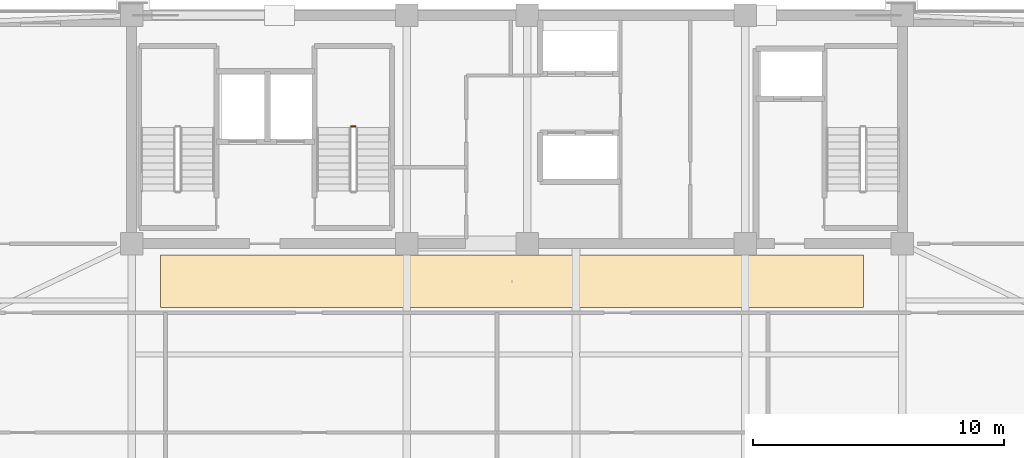
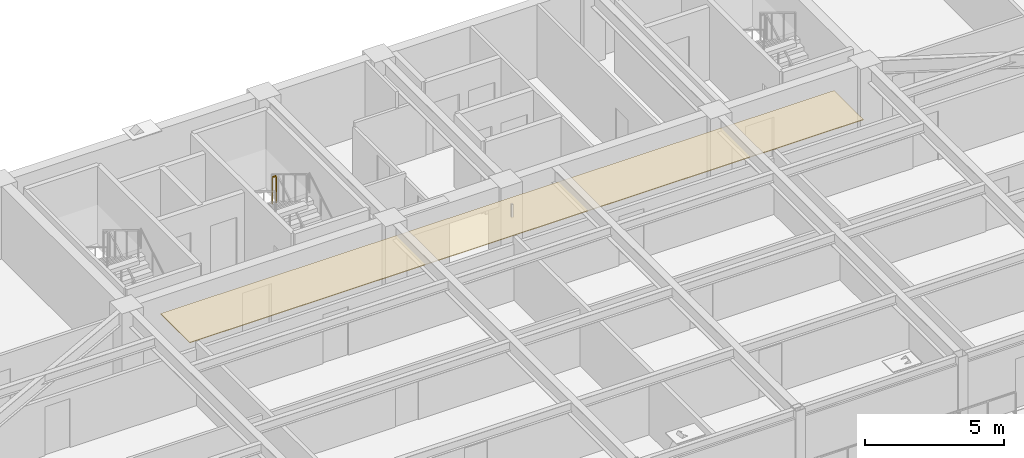
# One storey, part 12 of 13: 1 covering, 1 railing.
"""IFC4 building model written with IfcOpenShell, lengths in metres."""

from ifc_helpers import new_model, si_unit, direction, frame, origin, origin_2d, place, context, subcontext, project, spatial, polyline, rectangle, outline, extrude, material, layer, layer_set, type_object, element, save


model = new_model("IFC4")

# Units and contexts
model_context = context("Model", 3, precision=1e-05, world=origin(), true_north=direction((0.0, 1.0)))
body_context = subcontext(model_context, "Body", "Model", "MODEL_VIEW")
ifc_project = project(units=[si_unit("LENGTHUNIT", "METRE"), si_unit("AREAUNIT", "SQUARE_METRE"), si_unit("VOLUMEUNIT", "CUBIC_METRE"), si_unit("PLANEANGLEUNIT", "RADIAN"), si_unit("MASSUNIT", "GRAM", prefix="KILO")], contexts=[model_context])

# Site, building, storey
site_placement = place(None, origin())
site = spatial("IfcSite", under=ifc_project, at=site_placement, CompositionType="ELEMENT")
building_placement = place(site_placement, origin())
building = spatial("IfcBuilding", under=site, at=building_placement, Name="Giltprow Tower", CompositionType="ELEMENT")
storey_placement = place(building_placement, frame((0.0, 0.0, 304.0)))
storey = spatial("IfcBuildingStorey", under=building, at=storey_placement, Name="L78", CompositionType="ELEMENT", Elevation=304.0)

# Covering
ifc_material_1 = material(Name="Painted gypsum board", Category="gypsum")
ifc_layer = layer(ifc_material_1, 0.030029296875, Name="Painted gypsum board")
ifc_layer_set = layer_set([ifc_layer], Name="Painted gypsum board")
covering_type = type_object("IfcCoveringType", Name="COV-CLG-GYPSUM", PredefinedType="CEILING", material=ifc_layer_set)
covering_placement = place(storey_placement, frame((0.0, 0.0, 2.6201171875)))
element("IfcCovering", 1, at=covering_placement, inside=storey, type_object=covering_type, Name="L78 Residence Gallery Ceiling", PredefinedType="CEILING", context=body_context, shape_type="SweptSolid", body=[
    extrude(outline(polyline([(21.0, 34.89990234375), (49.0, 34.89990234375), (49.0, 37.0), (21.0, 37.0), (21.0, 34.89990234375)])), origin(), (0.0, 0.0, 1.0), 0.02978515625),
])

# Railing
ifc_material_2 = material(Name="Anodized bronze", Category="metal")
railing_type = type_object("IfcRailingType", Name="RAIL-STAIR-GUARD-1200", PredefinedType="GUARDRAIL", material=ifc_material_2)
railing_placement = place(storey_placement, frame((28.760009765625, 42.1201171875, 1.699951171875)))
element("IfcRailing", 2, at=railing_placement, inside=storey, type_object=railing_type, Name="L78 ST-2 stair guard 2", PredefinedType="GUARDRAIL", context=body_context, shape_type="SweptSolid", body=[
    extrude(rectangle(XDim=0.048095703125, YDim=0.048095703125, at=origin_2d()), frame((0.0, 0.0, 1.17578125), z_axis=(-1.0, 0.0, 0.0), x_axis=(0.0, -1.0, 0.0)), (0.0, 0.0, 1.0), 0.159912109375),
    extrude(rectangle(XDim=0.0419921875, YDim=0.0419921875, at=origin_2d()), origin(), (0.0, 0.0, 1.0), 1.15185546875),
    extrude(rectangle(XDim=0.0419921875, YDim=0.0419921875, at=origin_2d()), frame((-0.159912109375, 0.0, 0.0)), (0.0, 0.0, 1.0), 1.15185546875),
])

save(model, "model.ifc")
